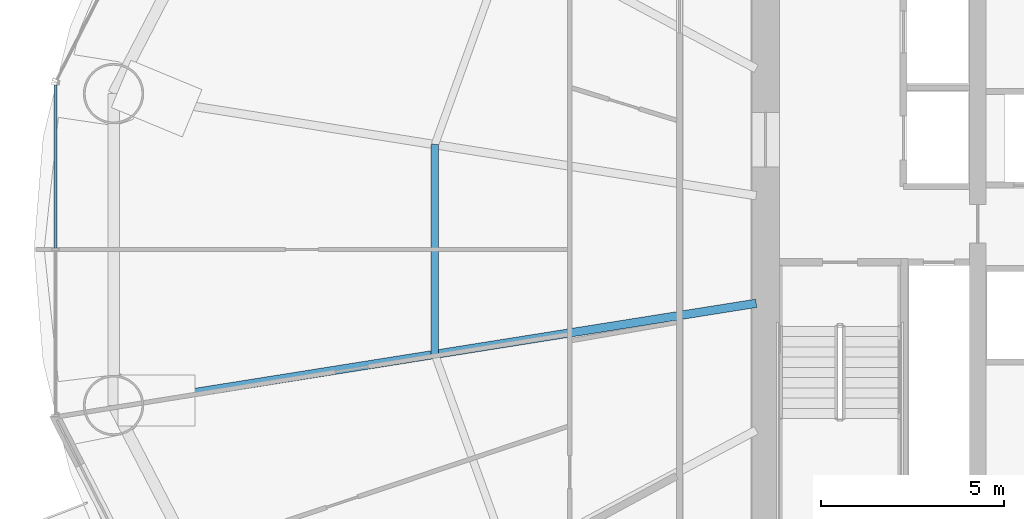
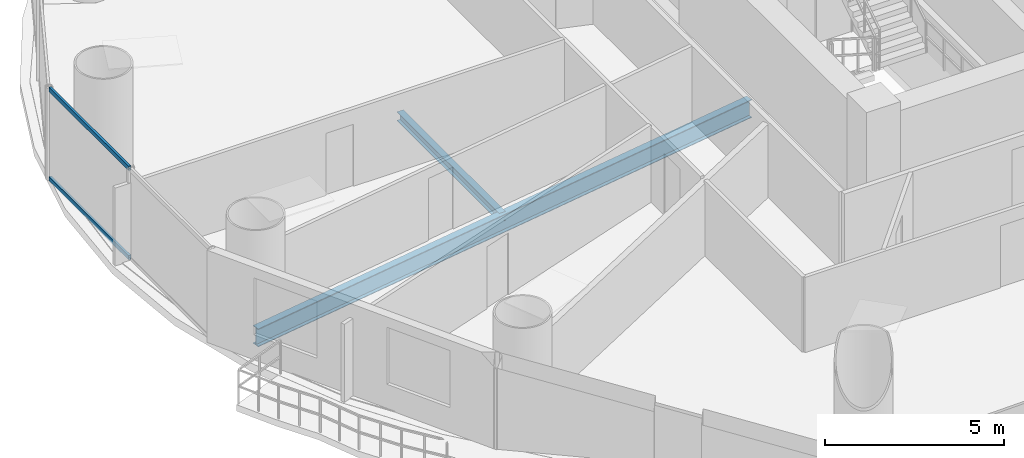
# One storey, part 7 of 29: 2 beams, 2 members, 1 element without a shape of its own.
"""IFC4 building model written with IfcOpenShell, lengths in metres."""

from ifc_helpers import new_model, si_unit, direction, frame, origin, origin_2d, place, context, subcontext, project, spatial, hollow_rectangle, i_section, extrude, source, transform, mapped, material, material_profile, profile_set, type_object, element, aggregate, save


model = new_model("IFC4")

# Units and contexts
model_context = context("Model", 3, precision=1e-05, world=origin(), true_north=direction((-0.2419218956, 0.970295726276)))
body_context = subcontext(model_context, "Body", "Model", "MODEL_VIEW")
ifc_project = project(units=[si_unit("LENGTHUNIT", "METRE"), si_unit("AREAUNIT", "SQUARE_METRE"), si_unit("VOLUMEUNIT", "CUBIC_METRE"), si_unit("PLANEANGLEUNIT", "RADIAN"), si_unit("MASSUNIT", "GRAM", prefix="KILO")], contexts=[model_context])

# Site, building, storey
site_placement = place(None, origin())
site = spatial("IfcSite", under=ifc_project, at=site_placement, CompositionType="ELEMENT")
building_placement = place(site_placement, origin())
building = spatial("IfcBuilding", under=site, at=building_placement, Name="Cobrevalo Terracotta Tower", CompositionType="ELEMENT")
storey_placement = place(building_placement, frame((0.0, 0.0, 70.800048828125)))
storey = spatial("IfcBuildingStorey", under=building, at=storey_placement, Name="L18", CompositionType="ELEMENT", Elevation=70.800048828125)

# Beams
ifc_material_1 = material(Name="Steel S355", Category="steel")
ifc_material_profile_1 = material_profile(ifc_material_1, i_section(OverallWidth=0.22998046875, OverallDepth=0.616943359375, WebThickness=0.01318359375, FlangeThickness=0.022216796875, at=origin_2d()), Name="W 610x140")
ifc_profile_set_1 = profile_set([ifc_material_profile_1], Name="Steel S355")
beam_type_1 = type_object("IfcBeamType", Name="Structural Beam W 610x140 (Steel S355)", PredefinedType="BEAM", material=ifc_profile_set_1)
beam_1_placement = place(storey_placement, frame((11.175537109375, 22.537353515625, -0.588623046875), z_axis=(0.987607924622, 0.156941349628, 0.0), x_axis=(-0.156941349628, 0.987607924622, 0.0)))
element("IfcBeam", 1, at=beam_1_placement, inside=storey, type_object=beam_type_1, Name="L18 radial floor girder 09", PredefinedType="BEAM", context=body_context, shape_type="SweptSolid", body=[
    extrude(i_section(OverallWidth=0.22998046875, OverallDepth=0.616943359375, WebThickness=0.01318359375, FlangeThickness=0.022216796875, at=origin_2d()), origin(), (0.0, 0.0, 1.0), 17.7900390625),
])
ifc_material_profile_2 = material_profile(ifc_material_1, i_section(OverallWidth=0.2041015625, OverallDepth=0.305908203125, WebThickness=0.008544921875, FlangeThickness=0.0146484375, at=origin_2d()), Name="W 310x67")
ifc_profile_set_2 = profile_set([ifc_material_profile_2], Name="Steel S355")
beam_type_2 = type_object("IfcBeamType", Name="Structural Joist W 310x67 (Steel S355)", PredefinedType="JOIST", material=ifc_profile_set_2)
beam_2_placement = place(storey_placement, frame((19.960205078125, 29.666748046875, -0.43310546875), z_axis=(0.0, -1.0, 0.0), x_axis=(1.0, 0.0, 0.0)))
element("IfcBeam", 2, at=beam_2_placement, inside=storey, type_object=beam_type_2, Name="L18 circumferential secondary floor joist 08", PredefinedType="JOIST", context=body_context, shape_type="SweptSolid", body=[
    extrude(i_section(OverallWidth=0.2041015625, OverallDepth=0.305908203125, WebThickness=0.008544921875, FlangeThickness=0.0146484375, at=origin_2d()), origin(), (0.0, 0.0, 1.0), 5.7333984375),
])

# Curtain wall, members
ifc_material_2 = material(Name="Anodized aluminium", Category="aluminium")
curtain_wall_type = type_object("IfcCurtainWallType", Name="Lower-tower unitised acoustic low-E curtain wall CW-U1", PredefinedType="NOTDEFINED", material=ifc_material_2)
curtain_wall_placement = place(storey_placement, origin())
curtain_wall = element("IfcCurtainWall", 3, at=curtain_wall_placement, inside=storey, type_object=curtain_wall_type, Name="L18 curtain wall CW-L18-S08", PredefinedType="NOTDEFINED")
ifc_material_profile_3 = material_profile(ifc_material_2, hollow_rectangle(XDim=0.074951171875, YDim=0.14990234375, WallThickness=0.00439453125, at=origin_2d()), Name="CWT 75x150")
ifc_profile_set_3 = profile_set([ifc_material_profile_3], Name="Anodized aluminium")
member_type = type_object("IfcMemberType", Name="Tower unitised aluminium transom 75x150", PredefinedType="USERDEFINED", material=ifc_profile_set_3)
shared_shape = source(origin(), body_context, "Body", "SweptSolid", [
    extrude(hollow_rectangle(XDim=0.074951171875, YDim=0.14990234375, WallThickness=0.00439453125, at=origin_2d()), origin(), (0.0, 0.0, 1.0), 4.458740234375),
])
member_1_placement = place(storey_placement, frame((9.586669921875, 31.298828125, 0.050048828125), z_axis=(0.0, -1.0, 0.0), x_axis=(1.0, 0.0, 0.0)))
member_1 = element("IfcMember", 4, at=member_1_placement, type_object=member_type, Name="CW-L18-S08 transom B01-T1", ObjectType="TRANSOM", PredefinedType="USERDEFINED", context=body_context, shape_type="MappedRepresentation", body=[
    mapped(shared_shape, transform((0.0, 0.0, 0.0), scale=1.0)),
])
member_2_placement = place(storey_placement, frame((9.586669921875, 31.298828125, 3.099853515625), z_axis=(0.0, -1.0, 0.0), x_axis=(1.0, 0.0, 0.0)))
member_2 = element("IfcMember", 5, at=member_2_placement, type_object=member_type, Name="CW-L18-S08 transom B01-T2", ObjectType="TRANSOM", PredefinedType="USERDEFINED", context=body_context, shape_type="MappedRepresentation", body=[
    mapped(shared_shape, transform((0.0, 0.0, 0.0), scale=1.0)),
])
aggregate(curtain_wall, [member_1, member_2])

save(model, "model.ifc")
